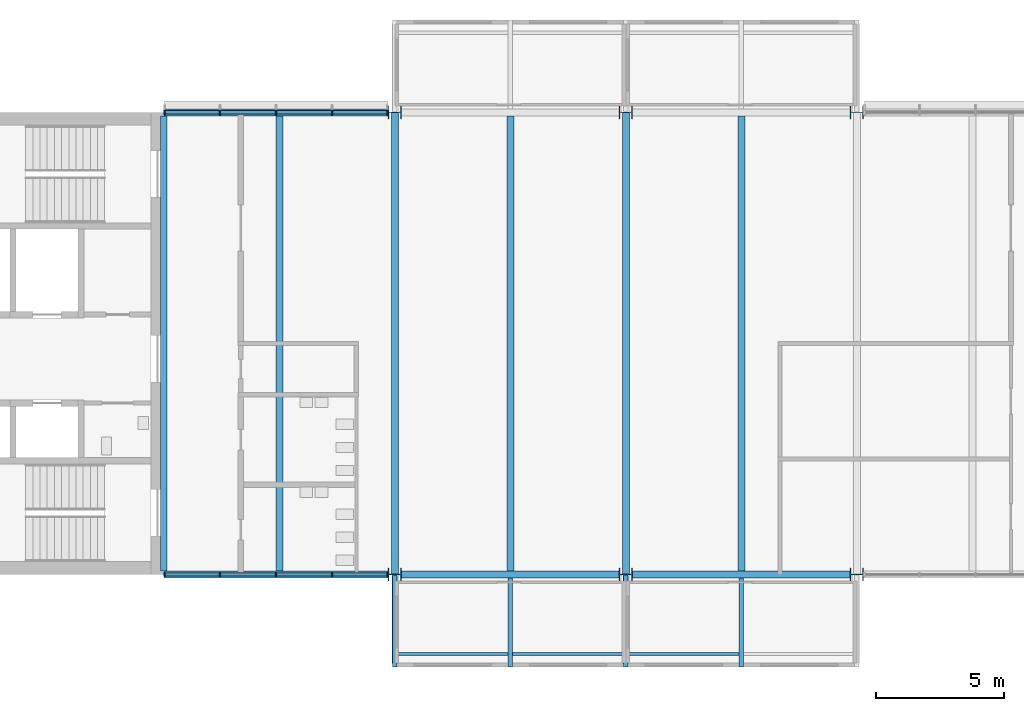
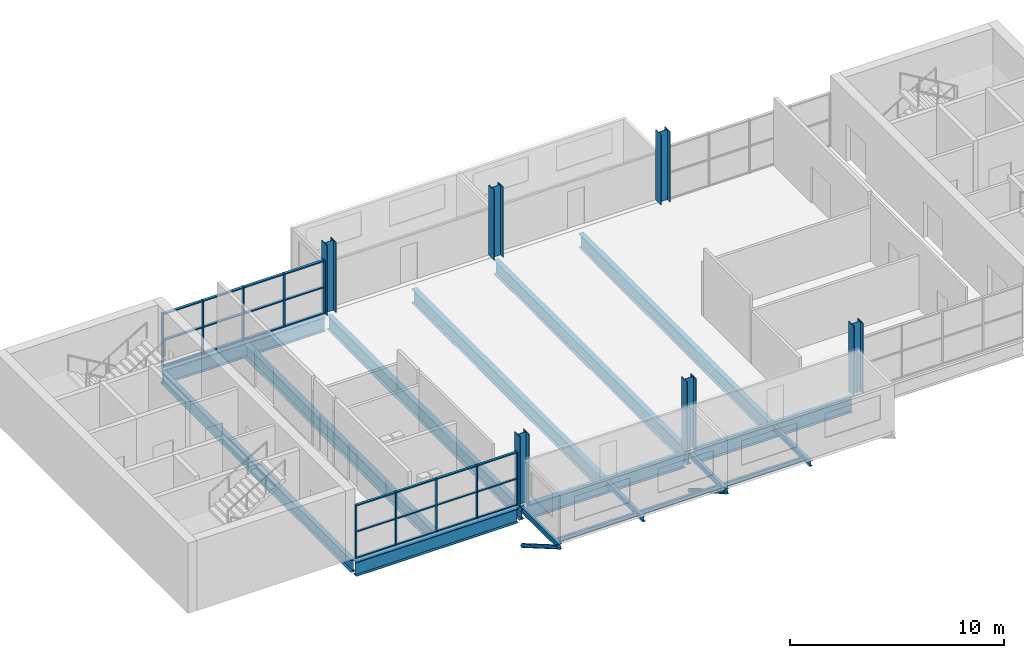
# One storey, part 1 of 10: 36 members, 17 beams, 6 columns, 2 elements without a shape of their own.
"""IFC4 building model written with IfcOpenShell, lengths in metres."""

from ifc_helpers import new_model, si_unit, direction, frame, origin, origin_2d, place, context, subcontext, project, spatial, rectangle, hollow_circle, i_section, extrude, material, layer, layer_set, material_profile, profile_set, type_object, element, aggregate, save


model = new_model("IFC4")

# Units and contexts
model_context = context("Model", 3, precision=1e-05, world=origin(), true_north=direction((0.0, 1.0)))
body_context = subcontext(model_context, "Body", "Model", "MODEL_VIEW")
ifc_project = project(units=[si_unit("LENGTHUNIT", "METRE"), si_unit("AREAUNIT", "SQUARE_METRE"), si_unit("VOLUMEUNIT", "CUBIC_METRE"), si_unit("PLANEANGLEUNIT", "RADIAN"), si_unit("MASSUNIT", "GRAM", prefix="KILO")], contexts=[model_context])

# Site, building, storey
site_placement = place(None, origin())
site = spatial("IfcSite", under=ifc_project, at=site_placement, CompositionType="ELEMENT")
building_placement = place(site_placement, origin())
building = spatial("IfcBuilding", under=site, at=building_placement, Name="Corbel Yard City Hall", CompositionType="ELEMENT")
storey_placement = place(building_placement, frame((0.0, 0.0, 19.199951171875)))
storey = spatial("IfcBuildingStorey", under=building, at=storey_placement, Name="L04", CompositionType="ELEMENT", Elevation=19.199951171875)

# Columns
ifc_material_1 = material(Name="Steel Grade 350", Category="steel")
ifc_material_profile_1 = material_profile(ifc_material_1, i_section(OverallWidth=0.5, OverallDepth=0.513916015625, WebThickness=0.02490234375, FlangeThickness=0.031982421875, at=origin_2d()), Name="500WC340")
ifc_profile_set_1 = profile_set([ifc_material_profile_1], Name="Steel Grade 350")
column_type = type_object("IfcColumnType", Name="Column 500WC340", PredefinedType="COLUMN", material=ifc_profile_set_1)
for number, where, z_axis, x_axis, name in (
    (1, (18.0, 99.0, 0.0), (0.0, 0.0, 1.0), (0.0, 1.0, 0.0), "Column 500WC340 L/3 L04"),
    (2, (18.0, 117.0, 0.0), (0.0, 0.0, 1.0), (0.0, 1.0, 0.0), "Column 500WC340 N/3 L04"),
    (3, (27.0, 99.0, 0.0), (0.0, 0.0, 1.0), (0.0, 1.0, 0.0), "Column 500WC340 L/4 L04"),
    (4, (27.0, 117.0, 0.0), (0.0, 0.0, 1.0), (0.0, 1.0, 0.0), "Column 500WC340 N/4 L04"),
    (5, (36.0, 99.0, 0.0), (0.0, 0.0, 1.0), (0.0, 1.0, 0.0), "Column 500WC340 L/5 L04"),
    (6, (36.0, 117.0, 0.0), (0.0, 0.0, 1.0), (0.0, 1.0, 0.0), "Column 500WC340 N/5 L04"),
):
    element("IfcColumn", number, at=place(storey_placement, frame(where, z_axis=z_axis, x_axis=x_axis)), inside=storey, type_object=column_type, Name=name, PredefinedType="COLUMN", context=body_context, shape_type="SweptSolid", body=[
        extrude(i_section(OverallWidth=0.5, OverallDepth=0.513916015625, WebThickness=0.02490234375, FlangeThickness=0.031982421875, at=origin_2d()), origin(), (0.0, 0.0, 1.0), 4.0),
    ])

# Beams
ifc_material_profile_2 = material_profile(ifc_material_1, i_section(OverallWidth=0.27490234375, OverallDepth=0.81005859375, WebThickness=0.010009765625, FlangeThickness=0.02490234375, at=origin_2d()), Name="800WB168")
ifc_profile_set_2 = profile_set([ifc_material_profile_2], Name="Steel Grade 350")
beam_type_1 = type_object("IfcBeamType", Name="Edge beam 800WB168", PredefinedType="BEAM", material=ifc_profile_set_2)
beam_1_placement = place(storey_placement, frame((9.0, 99.0, -0.554931640625), z_axis=(1.0, 0.0, 0.0), x_axis=(0.0, 1.0, 0.0)))
element("IfcBeam", 7, at=beam_1_placement, inside=storey, type_object=beam_type_1, Name="Edge beam 800WB168 EB3 L04tower", PredefinedType="BEAM", context=body_context, shape_type="SweptSolid", body=[
    extrude(i_section(OverallWidth=0.27490234375, OverallDepth=0.81005859375, WebThickness=0.010009765625, FlangeThickness=0.02490234375, at=origin_2d()), origin(), (0.0, 0.0, 1.0), 8.742919921875),
])
for number, where, z_axis, x_axis, name in (
    (8, (18.257080078125, 99.0, -0.554931640625), (1.0, 0.0, 0.0), (0.0, 1.0, 0.0), "Edge beam 800WB168 EB3 L04tower"),
    (9, (27.257080078125, 99.0, -0.554931640625), (1.0, 0.0, 0.0), (0.0, 1.0, 0.0), "Edge beam 800WB168 EB3 L04tower"),
):
    element("IfcBeam", number, at=place(storey_placement, frame(where, z_axis=z_axis, x_axis=x_axis)), inside=storey, type_object=beam_type_1, Name=name, PredefinedType="BEAM", context=body_context, shape_type="SweptSolid", body=[
        extrude(i_section(OverallWidth=0.27490234375, OverallDepth=0.81005859375, WebThickness=0.010009765625, FlangeThickness=0.02490234375, at=origin_2d()), origin(), (0.0, 0.0, 1.0), 8.48583984375),
    ])
beam_2_placement = place(storey_placement, frame((9.0, 117.0, -0.554931640625), z_axis=(1.0, 0.0, 0.0), x_axis=(0.0, 1.0, 0.0)))
element("IfcBeam", 10, at=beam_2_placement, inside=storey, type_object=beam_type_1, Name="Edge beam 800WB168 EB3 L04tower", PredefinedType="BEAM", context=body_context, shape_type="SweptSolid", body=[
    extrude(i_section(OverallWidth=0.27490234375, OverallDepth=0.81005859375, WebThickness=0.010009765625, FlangeThickness=0.02490234375, at=origin_2d()), origin(), (0.0, 0.0, 1.0), 8.742919921875),
])
ifc_material_profile_3 = material_profile(ifc_material_1, i_section(OverallWidth=0.27490234375, OverallDepth=0.800048828125, WebThickness=0.010009765625, FlangeThickness=0.02001953125, at=origin_2d()), Name="800WB146")
ifc_profile_set_3 = profile_set([ifc_material_profile_3], Name="Steel Grade 350")
beam_type_2 = type_object("IfcBeamType", Name="Long-span beam 800WB146", PredefinedType="BEAM", material=ifc_profile_set_3)
for number, where, z_axis, x_axis, name in (
    (11, (18.0, 99.012451171875, -0.550048828125), (0.0, 1.0, 0.0), (-1.0, 0.0, 0.0), "Long-span beam 800WB146 SB8 L04tower"),
    (12, (27.0, 99.012451171875, -0.550048828125), (0.0, 1.0, 0.0), (-1.0, 0.0, 0.0), "Long-span beam 800WB146 SB8 L04tower"),
):
    element("IfcBeam", number, at=place(storey_placement, frame(where, z_axis=z_axis, x_axis=x_axis)), inside=storey, type_object=beam_type_2, Name=name, PredefinedType="BEAM", context=body_context, shape_type="SweptSolid", body=[
        extrude(i_section(OverallWidth=0.27490234375, OverallDepth=0.800048828125, WebThickness=0.010009765625, FlangeThickness=0.02001953125, at=origin_2d()), origin(), (0.0, 0.0, 1.0), 17.97509765625),
    ])
ifc_material_profile_4 = material_profile(ifc_material_1, i_section(OverallWidth=0.25, OverallDepth=0.7099609375, WebThickness=0.010009765625, FlangeThickness=0.02490234375, at=origin_2d()), Name="700WB150")
ifc_profile_set_4 = profile_set([ifc_material_profile_4], Name="Steel Grade 350")
beam_type_3 = type_object("IfcBeamType", Name="Long-span edge beam 700WB150", PredefinedType="BEAM", material=ifc_profile_set_4)
beam_3_placement = place(storey_placement, frame((9.0, 99.137451171875, -0.5048828125), z_axis=(0.0, 1.0, 0.0), x_axis=(-1.0, 0.0, 0.0)))
element("IfcBeam", 13, at=beam_3_placement, inside=storey, type_object=beam_type_3, Name="Long-span edge beam 700WB150 EB8 L04tower", PredefinedType="BEAM", context=body_context, shape_type="SweptSolid", body=[
    extrude(i_section(OverallWidth=0.25, OverallDepth=0.7099609375, WebThickness=0.010009765625, FlangeThickness=0.02490234375, at=origin_2d()), origin(), (0.0, 0.0, 1.0), 17.72509765625),
])
ifc_material_profile_5 = material_profile(ifc_material_1, i_section(OverallWidth=0.27490234375, OverallDepth=0.800048828125, WebThickness=0.010009765625, FlangeThickness=0.02001953125, at=origin_2d()), Name="800WB146")
ifc_profile_set_5 = profile_set([ifc_material_profile_5], Name="Steel Grade 350")
beam_type_4 = type_object("IfcBeamType", Name="Long-span secondary beam 800WB146", PredefinedType="JOIST", material=ifc_profile_set_5)
for number, where, z_axis, x_axis, name in (
    (14, (13.5, 99.137451171875, -0.550048828125), (0.0, 1.0, 0.0), (-1.0, 0.0, 0.0), "Long-span secondary beam 800WB146 SB7 L04tower"),
    (15, (22.5, 99.137451171875, -0.550048828125), (0.0, 1.0, 0.0), (-1.0, 0.0, 0.0), "Long-span secondary beam 800WB146 SB7 L04tower"),
    (16, (31.5, 99.137451171875, -0.550048828125), (0.0, 1.0, 0.0), (-1.0, 0.0, 0.0), "Long-span secondary beam 800WB146 SB7 L04tower"),
):
    element("IfcBeam", number, at=place(storey_placement, frame(where, z_axis=z_axis, x_axis=x_axis)), inside=storey, type_object=beam_type_4, Name=name, PredefinedType="JOIST", context=body_context, shape_type="SweptSolid", body=[
        extrude(i_section(OverallWidth=0.27490234375, OverallDepth=0.800048828125, WebThickness=0.010009765625, FlangeThickness=0.02001953125, at=origin_2d()), origin(), (0.0, 0.0, 1.0), 17.72509765625),
    ])

# Curtain wall, members
ifc_material_2 = material(Name="Aluminium extrusion", Category="aluminium")
ifc_layer_1 = layer(ifc_material_2, 0.14990234375)
ifc_layer_set_1 = layer_set([ifc_layer_1], Name="Aluminium extrusion")
curtain_wall_type_1 = type_object("IfcCurtainWallType", Name="CW2", PredefinedType="USERDEFINED", material=ifc_layer_set_1)
curtain_wall_1_placement = place(storey_placement, origin())
curtain_wall_1 = element("IfcCurtainWall", 17, at=curtain_wall_1_placement, inside=storey, type_object=curtain_wall_type_1, Name="Curtain wall CW2 L04", ObjectType="CURTAIN WALL", PredefinedType="USERDEFINED")
ifc_material_profile_6 = material_profile(ifc_material_2, rectangle(XDim=0.14990234375, YDim=0.06494140625, at=origin_2d()), Name="150x65")
ifc_profile_set_6 = profile_set([ifc_material_profile_6], Name="Aluminium extrusion")
member_type_1 = type_object("IfcMemberType", Name="ML2", PredefinedType="MULLION", material=ifc_profile_set_6)
member_1_placement = place(storey_placement, frame((9.032470703125, 99.0, 0.0), z_axis=(0.0, 0.0, 1.0), x_axis=(0.0, 1.0, 0.0)))
member_1 = element("IfcMember", 18, at=member_1_placement, type_object=member_type_1, Name="CW2 mullion 1", PredefinedType="MULLION", context=body_context, shape_type="SweptSolid", body=[
    extrude(rectangle(XDim=0.14990234375, YDim=0.06494140625, at=origin_2d()), origin(), (0.0, 0.0, 1.0), 3.0400390625),
])
member_2_placement = place(storey_placement, frame((11.185791015625, 99.0, 0.0), z_axis=(0.0, 0.0, 1.0), x_axis=(0.0, 1.0, 0.0)))
member_2 = element("IfcMember", 19, at=member_2_placement, type_object=member_type_1, Name="CW2 mullion 2", PredefinedType="MULLION", context=body_context, shape_type="SweptSolid", body=[
    extrude(rectangle(XDim=0.14990234375, YDim=0.06494140625, at=origin_2d()), origin(), (0.0, 0.0, 1.0), 3.0400390625),
])
member_3_placement = place(storey_placement, frame((13.37158203125, 99.0, 0.0), z_axis=(0.0, 0.0, 1.0), x_axis=(0.0, 1.0, 0.0)))
member_3 = element("IfcMember", 20, at=member_3_placement, type_object=member_type_1, Name="CW2 mullion 3", PredefinedType="MULLION", context=body_context, shape_type="SweptSolid", body=[
    extrude(rectangle(XDim=0.14990234375, YDim=0.06494140625, at=origin_2d()), origin(), (0.0, 0.0, 1.0), 3.0400390625),
])
member_4_placement = place(storey_placement, frame((15.55712890625, 99.0, 0.0), z_axis=(0.0, 0.0, 1.0), x_axis=(0.0, 1.0, 0.0)))
member_4 = element("IfcMember", 21, at=member_4_placement, type_object=member_type_1, Name="CW2 mullion 4", PredefinedType="MULLION", context=body_context, shape_type="SweptSolid", body=[
    extrude(rectangle(XDim=0.14990234375, YDim=0.06494140625, at=origin_2d()), origin(), (0.0, 0.0, 1.0), 3.0400390625),
])
member_5_placement = place(storey_placement, frame((17.71044921875, 99.0, 0.0), z_axis=(0.0, 0.0, 1.0), x_axis=(0.0, 1.0, 0.0)))
member_5 = element("IfcMember", 22, at=member_5_placement, type_object=member_type_1, Name="CW2 mullion 5", PredefinedType="MULLION", context=body_context, shape_type="SweptSolid", body=[
    extrude(rectangle(XDim=0.14990234375, YDim=0.06494140625, at=origin_2d()), origin(), (0.0, 0.0, 1.0), 3.0400390625),
])

ifc_layer_2 = layer(ifc_material_2, 0.179931640625)
ifc_layer_set_2 = layer_set([ifc_layer_2], Name="Aluminium extrusion")
curtain_wall_type_2 = type_object("IfcCurtainWallType", Name="CW6", PredefinedType="USERDEFINED", material=ifc_layer_set_2)
curtain_wall_2_placement = place(storey_placement, origin())
curtain_wall_2 = element("IfcCurtainWall", 23, at=curtain_wall_2_placement, inside=storey, type_object=curtain_wall_type_2, Name="Curtain wall CW6 L04", ObjectType="CURTAIN WALL", PredefinedType="USERDEFINED")
ifc_material_profile_7 = material_profile(ifc_material_2, rectangle(XDim=0.179931640625, YDim=0.06494140625, at=origin_2d()), Name="180x65")
ifc_profile_set_7 = profile_set([ifc_material_profile_7], Name="Aluminium extrusion")
member_type_2 = type_object("IfcMemberType", Name="ML6", PredefinedType="MULLION", material=ifc_profile_set_7)
member_6_placement = place(storey_placement, frame((9.032470703125, 117.0, 0.0), z_axis=(0.0, 0.0, 1.0), x_axis=(0.0, 1.0, 0.0)))
member_6 = element("IfcMember", 24, at=member_6_placement, type_object=member_type_2, Name="CW6 mullion 1", PredefinedType="MULLION", context=body_context, shape_type="SweptSolid", body=[
    extrude(rectangle(XDim=0.179931640625, YDim=0.06494140625, at=origin_2d()), origin(), (0.0, 0.0, 1.0), 3.0400390625),
])
member_7_placement = place(storey_placement, frame((11.185791015625, 117.0, 0.0), z_axis=(0.0, 0.0, 1.0), x_axis=(0.0, 1.0, 0.0)))
member_7 = element("IfcMember", 25, at=member_7_placement, type_object=member_type_2, Name="CW6 mullion 2", PredefinedType="MULLION", context=body_context, shape_type="SweptSolid", body=[
    extrude(rectangle(XDim=0.179931640625, YDim=0.06494140625, at=origin_2d()), origin(), (0.0, 0.0, 1.0), 3.0400390625),
])
member_8_placement = place(storey_placement, frame((13.37158203125, 117.0, 0.0), z_axis=(0.0, 0.0, 1.0), x_axis=(0.0, 1.0, 0.0)))
member_8 = element("IfcMember", 26, at=member_8_placement, type_object=member_type_2, Name="CW6 mullion 3", PredefinedType="MULLION", context=body_context, shape_type="SweptSolid", body=[
    extrude(rectangle(XDim=0.179931640625, YDim=0.06494140625, at=origin_2d()), origin(), (0.0, 0.0, 1.0), 3.0400390625),
])
member_9_placement = place(storey_placement, frame((15.55712890625, 117.0, 0.0), z_axis=(0.0, 0.0, 1.0), x_axis=(0.0, 1.0, 0.0)))
member_9 = element("IfcMember", 27, at=member_9_placement, type_object=member_type_2, Name="CW6 mullion 4", PredefinedType="MULLION", context=body_context, shape_type="SweptSolid", body=[
    extrude(rectangle(XDim=0.179931640625, YDim=0.06494140625, at=origin_2d()), origin(), (0.0, 0.0, 1.0), 3.0400390625),
])
member_10_placement = place(storey_placement, frame((17.71044921875, 117.0, 0.0), z_axis=(0.0, 0.0, 1.0), x_axis=(0.0, 1.0, 0.0)))
member_10 = element("IfcMember", 28, at=member_10_placement, type_object=member_type_2, Name="CW6 mullion 5", PredefinedType="MULLION", context=body_context, shape_type="SweptSolid", body=[
    extrude(rectangle(XDim=0.179931640625, YDim=0.06494140625, at=origin_2d()), origin(), (0.0, 0.0, 1.0), 3.0400390625),
])

# Members
ifc_material_3 = material(Name="Steel Grade C350L0", Category="steel")
ifc_material_profile_8 = material_profile(ifc_material_3, hollow_circle(Radius=0.109619140625, WallThickness=0.00830078125, at=origin_2d()), Name="219.1x8.2CHS")
ifc_profile_set_8 = profile_set([ifc_material_profile_8], Name="Steel Grade C350L0")
member_type_3 = type_object("IfcMemberType", Name="Pod knee brace", PredefinedType="BRACE", material=ifc_profile_set_8)
for number, where, z_axis, x_axis, name in (
    (29, (18.0, 95.56005859375, -0.4169921875), (0.0, 0.864719662222, -0.502254821546), (-1.0, 0.0, 0.0), "Pod knee brace"),
    (30, (27.0, 95.56005859375, -0.4169921875), (0.0, 0.864719662222, -0.502254821546), (-1.0, 0.0, 0.0), "Pod knee brace"),
):
    element("IfcMember", number, at=place(storey_placement, frame(where, z_axis=z_axis, x_axis=x_axis)), inside=storey, type_object=member_type_3, Name=name, PredefinedType="BRACE", context=body_context, shape_type="SweptSolid", body=[
        extrude(hollow_circle(Radius=0.109619140625, WallThickness=0.00830078125, at=origin_2d()), origin(), (0.0, 0.0, 1.0), 3.89990234375),
    ])

# Beams
ifc_material_4 = material(Name="Steel Grade 300 (300 MPa yield)", Category="steel")
ifc_material_profile_9 = material_profile(ifc_material_4, i_section(OverallWidth=0.166015625, OverallDepth=0.306884765625, WebThickness=0.006591796875, FlangeThickness=0.01171875, at=origin_2d()), Name="310UB46.2")
ifc_profile_set_9 = profile_set([ifc_material_profile_9], Name="Steel Grade 300 (300 MPa yield)")
beam_type_5 = type_object("IfcBeamType", Name="Pod stub beam 310UB46.2", PredefinedType="BEAM", material=ifc_profile_set_9)
beam_4_placement = place(storey_placement, frame((18.0, 95.39990234375, -0.303466796875), z_axis=(0.0, 1.0, 0.0), x_axis=(-1.0, 0.0, 0.0)))
element("IfcBeam", 31, at=beam_4_placement, inside=storey, type_object=beam_type_5, Name="Pod stub 310UB46.2 CB1 L04", PredefinedType="BEAM", context=body_context, shape_type="SweptSolid", body=[
    extrude(i_section(OverallWidth=0.166015625, OverallDepth=0.306884765625, WebThickness=0.006591796875, FlangeThickness=0.01171875, at=origin_2d()), origin(), (0.0, 0.0, 1.0), 3.587646484375),
])
beam_5_placement = place(storey_placement, frame((22.5, 95.39990234375, -0.303466796875), z_axis=(0.0, 1.0, 0.0), x_axis=(-1.0, 0.0, 0.0)))
element("IfcBeam", 32, at=beam_5_placement, inside=storey, type_object=beam_type_5, Name="Pod stub 310UB46.2 CB1 L04", PredefinedType="BEAM", context=body_context, shape_type="SweptSolid", body=[
    extrude(i_section(OverallWidth=0.166015625, OverallDepth=0.306884765625, WebThickness=0.006591796875, FlangeThickness=0.01171875, at=origin_2d()), origin(), (0.0, 0.0, 1.0), 3.462646484375),
])
beam_6_placement = place(storey_placement, frame((27.0, 95.39990234375, -0.303466796875), z_axis=(0.0, 1.0, 0.0), x_axis=(-1.0, 0.0, 0.0)))
element("IfcBeam", 33, at=beam_6_placement, inside=storey, type_object=beam_type_5, Name="Pod stub 310UB46.2 CB1 L04", PredefinedType="BEAM", context=body_context, shape_type="SweptSolid", body=[
    extrude(i_section(OverallWidth=0.166015625, OverallDepth=0.306884765625, WebThickness=0.006591796875, FlangeThickness=0.01171875, at=origin_2d()), origin(), (0.0, 0.0, 1.0), 3.587646484375),
])
beam_7_placement = place(storey_placement, frame((31.5, 95.39990234375, -0.303466796875), z_axis=(0.0, 1.0, 0.0), x_axis=(-1.0, 0.0, 0.0)))
element("IfcBeam", 34, at=beam_7_placement, inside=storey, type_object=beam_type_5, Name="Pod stub 310UB46.2 CB1 L04", PredefinedType="BEAM", context=body_context, shape_type="SweptSolid", body=[
    extrude(i_section(OverallWidth=0.166015625, OverallDepth=0.306884765625, WebThickness=0.006591796875, FlangeThickness=0.01171875, at=origin_2d()), origin(), (0.0, 0.0, 1.0), 3.462646484375),
])
ifc_material_profile_10 = material_profile(ifc_material_4, i_section(OverallWidth=0.1240234375, OverallDepth=0.248046875, WebThickness=0.0048828125, FlangeThickness=0.008056640625, at=origin_2d()), Name="250UB25.7")
ifc_profile_set_10 = profile_set([ifc_material_profile_10], Name="Steel Grade 300 (300 MPa yield)")
beam_type_6 = type_object("IfcBeamType", Name="Pod tip beam", PredefinedType="BEAM", material=ifc_profile_set_10)
for number, where, z_axis, x_axis, name in (
    (35, (18.0830078125, 95.89990234375, -0.27392578125), (1.0, 0.0, 0.0), (0.0, 1.0, 0.0), "Pod tip beam"),
    (36, (22.5830078125, 95.89990234375, -0.27392578125), (1.0, 0.0, 0.0), (0.0, 1.0, 0.0), "Pod tip beam"),
    (37, (27.0830078125, 95.89990234375, -0.27392578125), (1.0, 0.0, 0.0), (0.0, 1.0, 0.0), "Pod tip beam"),
):
    element("IfcBeam", number, at=place(storey_placement, frame(where, z_axis=z_axis, x_axis=x_axis)), inside=storey, type_object=beam_type_6, Name=name, PredefinedType="BEAM", context=body_context, shape_type="SweptSolid", body=[
        extrude(i_section(OverallWidth=0.1240234375, OverallDepth=0.248046875, WebThickness=0.0048828125, FlangeThickness=0.008056640625, at=origin_2d()), origin(), (0.0, 0.0, 1.0), 4.333984375),
    ])

# Member
ifc_material_profile_11 = material_profile(ifc_material_2, rectangle(XDim=0.1201171875, YDim=0.06494140625, at=origin_2d()), Name="120x65")
ifc_profile_set_11 = profile_set([ifc_material_profile_11], Name="Aluminium extrusion")
member_type_4 = type_object("IfcMemberType", Name="TR2", PredefinedType="USERDEFINED", material=ifc_profile_set_11)
member_11_placement = place(storey_placement, frame((9.06494140625, 99.0, 0.032470703125), z_axis=(1.0, 0.0, 0.0), x_axis=(0.0, 1.0, 0.0)))
member_11 = element("IfcMember", 38, at=member_11_placement, type_object=member_type_4, Name="CW2 transom 1.1", ObjectType="TRANSOM", PredefinedType="USERDEFINED", context=body_context, shape_type="SweptSolid", body=[
    extrude(rectangle(XDim=0.1201171875, YDim=0.06494140625, at=origin_2d()), origin(), (0.0, 0.0, 1.0), 2.08837890625),
])

member_12_placement = place(storey_placement, frame((9.06494140625, 99.0, 1.52001953125), z_axis=(1.0, 0.0, 0.0), x_axis=(0.0, 1.0, 0.0)))
member_12 = element("IfcMember", 39, at=member_12_placement, type_object=member_type_4, Name="CW2 transom 1.2", ObjectType="TRANSOM", PredefinedType="USERDEFINED", context=body_context, shape_type="SweptSolid", body=[
    extrude(rectangle(XDim=0.1201171875, YDim=0.06494140625, at=origin_2d()), origin(), (0.0, 0.0, 1.0), 2.08837890625),
])

member_13_placement = place(storey_placement, frame((9.06494140625, 99.0, 3.007568359375), z_axis=(1.0, 0.0, 0.0), x_axis=(0.0, 1.0, 0.0)))
member_13 = element("IfcMember", 40, at=member_13_placement, type_object=member_type_4, Name="CW2 transom 1.3", ObjectType="TRANSOM", PredefinedType="USERDEFINED", context=body_context, shape_type="SweptSolid", body=[
    extrude(rectangle(XDim=0.1201171875, YDim=0.06494140625, at=origin_2d()), origin(), (0.0, 0.0, 1.0), 2.08837890625),
])

member_14_placement = place(storey_placement, frame((11.21826171875, 99.0, 0.032470703125), z_axis=(1.0, 0.0, 0.0), x_axis=(0.0, 1.0, 0.0)))
member_14 = element("IfcMember", 41, at=member_14_placement, type_object=member_type_4, Name="CW2 transom 2.1", ObjectType="TRANSOM", PredefinedType="USERDEFINED", context=body_context, shape_type="SweptSolid", body=[
    extrude(rectangle(XDim=0.1201171875, YDim=0.06494140625, at=origin_2d()), origin(), (0.0, 0.0, 1.0), 2.120849609375),
])

member_15_placement = place(storey_placement, frame((11.21826171875, 99.0, 1.52001953125), z_axis=(1.0, 0.0, 0.0), x_axis=(0.0, 1.0, 0.0)))
member_15 = element("IfcMember", 42, at=member_15_placement, type_object=member_type_4, Name="CW2 transom 2.2", ObjectType="TRANSOM", PredefinedType="USERDEFINED", context=body_context, shape_type="SweptSolid", body=[
    extrude(rectangle(XDim=0.1201171875, YDim=0.06494140625, at=origin_2d()), origin(), (0.0, 0.0, 1.0), 2.120849609375),
])

member_16_placement = place(storey_placement, frame((11.21826171875, 99.0, 3.007568359375), z_axis=(1.0, 0.0, 0.0), x_axis=(0.0, 1.0, 0.0)))
member_16 = element("IfcMember", 43, at=member_16_placement, type_object=member_type_4, Name="CW2 transom 2.3", ObjectType="TRANSOM", PredefinedType="USERDEFINED", context=body_context, shape_type="SweptSolid", body=[
    extrude(rectangle(XDim=0.1201171875, YDim=0.06494140625, at=origin_2d()), origin(), (0.0, 0.0, 1.0), 2.120849609375),
])

member_17_placement = place(storey_placement, frame((13.404052734375, 99.0, 0.032470703125), z_axis=(1.0, 0.0, 0.0), x_axis=(0.0, 1.0, 0.0)))
member_17 = element("IfcMember", 44, at=member_17_placement, type_object=member_type_4, Name="CW2 transom 3.1", ObjectType="TRANSOM", PredefinedType="USERDEFINED", context=body_context, shape_type="SweptSolid", body=[
    extrude(rectangle(XDim=0.1201171875, YDim=0.06494140625, at=origin_2d()), origin(), (0.0, 0.0, 1.0), 2.12060546875),
])

member_18_placement = place(storey_placement, frame((13.404052734375, 99.0, 1.52001953125), z_axis=(1.0, 0.0, 0.0), x_axis=(0.0, 1.0, 0.0)))
member_18 = element("IfcMember", 45, at=member_18_placement, type_object=member_type_4, Name="CW2 transom 3.2", ObjectType="TRANSOM", PredefinedType="USERDEFINED", context=body_context, shape_type="SweptSolid", body=[
    extrude(rectangle(XDim=0.1201171875, YDim=0.06494140625, at=origin_2d()), origin(), (0.0, 0.0, 1.0), 2.12060546875),
])

member_19_placement = place(storey_placement, frame((13.404052734375, 99.0, 3.007568359375), z_axis=(1.0, 0.0, 0.0), x_axis=(0.0, 1.0, 0.0)))
member_19 = element("IfcMember", 46, at=member_19_placement, type_object=member_type_4, Name="CW2 transom 3.3", ObjectType="TRANSOM", PredefinedType="USERDEFINED", context=body_context, shape_type="SweptSolid", body=[
    extrude(rectangle(XDim=0.1201171875, YDim=0.06494140625, at=origin_2d()), origin(), (0.0, 0.0, 1.0), 2.12060546875),
])

member_20_placement = place(storey_placement, frame((15.58984375, 99.0, 0.032470703125), z_axis=(1.0, 0.0, 0.0), x_axis=(0.0, 1.0, 0.0)))
member_20 = element("IfcMember", 47, at=member_20_placement, type_object=member_type_4, Name="CW2 transom 4.1", ObjectType="TRANSOM", PredefinedType="USERDEFINED", context=body_context, shape_type="SweptSolid", body=[
    extrude(rectangle(XDim=0.1201171875, YDim=0.06494140625, at=origin_2d()), origin(), (0.0, 0.0, 1.0), 2.088134765625),
])

member_21_placement = place(storey_placement, frame((15.58984375, 99.0, 1.52001953125), z_axis=(1.0, 0.0, 0.0), x_axis=(0.0, 1.0, 0.0)))
member_21 = element("IfcMember", 48, at=member_21_placement, type_object=member_type_4, Name="CW2 transom 4.2", ObjectType="TRANSOM", PredefinedType="USERDEFINED", context=body_context, shape_type="SweptSolid", body=[
    extrude(rectangle(XDim=0.1201171875, YDim=0.06494140625, at=origin_2d()), origin(), (0.0, 0.0, 1.0), 2.088134765625),
])

member_22_placement = place(storey_placement, frame((15.58984375, 99.0, 3.007568359375), z_axis=(1.0, 0.0, 0.0), x_axis=(0.0, 1.0, 0.0)))
member_22 = element("IfcMember", 49, at=member_22_placement, type_object=member_type_4, Name="CW2 transom 4.3", ObjectType="TRANSOM", PredefinedType="USERDEFINED", context=body_context, shape_type="SweptSolid", body=[
    extrude(rectangle(XDim=0.1201171875, YDim=0.06494140625, at=origin_2d()), origin(), (0.0, 0.0, 1.0), 2.088134765625),
])

aggregate(curtain_wall_1, [member_1, member_2, member_3, member_4, member_5, member_11, member_12, member_13, member_14, member_15, member_16, member_17, member_18, member_19, member_20, member_21, member_22])

ifc_material_profile_12 = material_profile(ifc_material_2, rectangle(XDim=0.139892578125, YDim=0.06494140625, at=origin_2d()), Name="140x65")
ifc_profile_set_12 = profile_set([ifc_material_profile_12], Name="Aluminium extrusion")
member_type_5 = type_object("IfcMemberType", Name="TR6", PredefinedType="USERDEFINED", material=ifc_profile_set_12)
member_23_placement = place(storey_placement, frame((9.06494140625, 117.0, 0.032470703125), z_axis=(1.0, 0.0, 0.0), x_axis=(0.0, 1.0, 0.0)))
member_23 = element("IfcMember", 50, at=member_23_placement, type_object=member_type_5, Name="CW6 transom 1.1", ObjectType="TRANSOM", PredefinedType="USERDEFINED", context=body_context, shape_type="SweptSolid", body=[
    extrude(rectangle(XDim=0.139892578125, YDim=0.06494140625, at=origin_2d()), origin(), (0.0, 0.0, 1.0), 2.08837890625),
])

member_24_placement = place(storey_placement, frame((9.06494140625, 117.0, 1.52001953125), z_axis=(1.0, 0.0, 0.0), x_axis=(0.0, 1.0, 0.0)))
member_24 = element("IfcMember", 51, at=member_24_placement, type_object=member_type_5, Name="CW6 transom 1.2", ObjectType="TRANSOM", PredefinedType="USERDEFINED", context=body_context, shape_type="SweptSolid", body=[
    extrude(rectangle(XDim=0.139892578125, YDim=0.06494140625, at=origin_2d()), origin(), (0.0, 0.0, 1.0), 2.08837890625),
])

member_25_placement = place(storey_placement, frame((9.06494140625, 117.0, 3.007568359375), z_axis=(1.0, 0.0, 0.0), x_axis=(0.0, 1.0, 0.0)))
member_25 = element("IfcMember", 52, at=member_25_placement, type_object=member_type_5, Name="CW6 transom 1.3", ObjectType="TRANSOM", PredefinedType="USERDEFINED", context=body_context, shape_type="SweptSolid", body=[
    extrude(rectangle(XDim=0.139892578125, YDim=0.06494140625, at=origin_2d()), origin(), (0.0, 0.0, 1.0), 2.08837890625),
])

member_26_placement = place(storey_placement, frame((11.21826171875, 117.0, 0.032470703125), z_axis=(1.0, 0.0, 0.0), x_axis=(0.0, 1.0, 0.0)))
member_26 = element("IfcMember", 53, at=member_26_placement, type_object=member_type_5, Name="CW6 transom 2.1", ObjectType="TRANSOM", PredefinedType="USERDEFINED", context=body_context, shape_type="SweptSolid", body=[
    extrude(rectangle(XDim=0.139892578125, YDim=0.06494140625, at=origin_2d()), origin(), (0.0, 0.0, 1.0), 2.120849609375),
])

member_27_placement = place(storey_placement, frame((11.21826171875, 117.0, 1.52001953125), z_axis=(1.0, 0.0, 0.0), x_axis=(0.0, 1.0, 0.0)))
member_27 = element("IfcMember", 54, at=member_27_placement, type_object=member_type_5, Name="CW6 transom 2.2", ObjectType="TRANSOM", PredefinedType="USERDEFINED", context=body_context, shape_type="SweptSolid", body=[
    extrude(rectangle(XDim=0.139892578125, YDim=0.06494140625, at=origin_2d()), origin(), (0.0, 0.0, 1.0), 2.120849609375),
])

member_28_placement = place(storey_placement, frame((11.21826171875, 117.0, 3.007568359375), z_axis=(1.0, 0.0, 0.0), x_axis=(0.0, 1.0, 0.0)))
member_28 = element("IfcMember", 55, at=member_28_placement, type_object=member_type_5, Name="CW6 transom 2.3", ObjectType="TRANSOM", PredefinedType="USERDEFINED", context=body_context, shape_type="SweptSolid", body=[
    extrude(rectangle(XDim=0.139892578125, YDim=0.06494140625, at=origin_2d()), origin(), (0.0, 0.0, 1.0), 2.120849609375),
])

member_29_placement = place(storey_placement, frame((13.404052734375, 117.0, 0.032470703125), z_axis=(1.0, 0.0, 0.0), x_axis=(0.0, 1.0, 0.0)))
member_29 = element("IfcMember", 56, at=member_29_placement, type_object=member_type_5, Name="CW6 transom 3.1", ObjectType="TRANSOM", PredefinedType="USERDEFINED", context=body_context, shape_type="SweptSolid", body=[
    extrude(rectangle(XDim=0.139892578125, YDim=0.06494140625, at=origin_2d()), origin(), (0.0, 0.0, 1.0), 2.12060546875),
])

member_30_placement = place(storey_placement, frame((13.404052734375, 117.0, 1.52001953125), z_axis=(1.0, 0.0, 0.0), x_axis=(0.0, 1.0, 0.0)))
member_30 = element("IfcMember", 57, at=member_30_placement, type_object=member_type_5, Name="CW6 transom 3.2", ObjectType="TRANSOM", PredefinedType="USERDEFINED", context=body_context, shape_type="SweptSolid", body=[
    extrude(rectangle(XDim=0.139892578125, YDim=0.06494140625, at=origin_2d()), origin(), (0.0, 0.0, 1.0), 2.12060546875),
])

member_31_placement = place(storey_placement, frame((13.404052734375, 117.0, 3.007568359375), z_axis=(1.0, 0.0, 0.0), x_axis=(0.0, 1.0, 0.0)))
member_31 = element("IfcMember", 58, at=member_31_placement, type_object=member_type_5, Name="CW6 transom 3.3", ObjectType="TRANSOM", PredefinedType="USERDEFINED", context=body_context, shape_type="SweptSolid", body=[
    extrude(rectangle(XDim=0.139892578125, YDim=0.06494140625, at=origin_2d()), origin(), (0.0, 0.0, 1.0), 2.12060546875),
])

member_32_placement = place(storey_placement, frame((15.58984375, 117.0, 0.032470703125), z_axis=(1.0, 0.0, 0.0), x_axis=(0.0, 1.0, 0.0)))
member_32 = element("IfcMember", 59, at=member_32_placement, type_object=member_type_5, Name="CW6 transom 4.1", ObjectType="TRANSOM", PredefinedType="USERDEFINED", context=body_context, shape_type="SweptSolid", body=[
    extrude(rectangle(XDim=0.139892578125, YDim=0.06494140625, at=origin_2d()), origin(), (0.0, 0.0, 1.0), 2.088134765625),
])

member_33_placement = place(storey_placement, frame((15.58984375, 117.0, 1.52001953125), z_axis=(1.0, 0.0, 0.0), x_axis=(0.0, 1.0, 0.0)))
member_33 = element("IfcMember", 60, at=member_33_placement, type_object=member_type_5, Name="CW6 transom 4.2", ObjectType="TRANSOM", PredefinedType="USERDEFINED", context=body_context, shape_type="SweptSolid", body=[
    extrude(rectangle(XDim=0.139892578125, YDim=0.06494140625, at=origin_2d()), origin(), (0.0, 0.0, 1.0), 2.088134765625),
])

member_34_placement = place(storey_placement, frame((15.58984375, 117.0, 3.007568359375), z_axis=(1.0, 0.0, 0.0), x_axis=(0.0, 1.0, 0.0)))
member_34 = element("IfcMember", 61, at=member_34_placement, type_object=member_type_5, Name="CW6 transom 4.3", ObjectType="TRANSOM", PredefinedType="USERDEFINED", context=body_context, shape_type="SweptSolid", body=[
    extrude(rectangle(XDim=0.139892578125, YDim=0.06494140625, at=origin_2d()), origin(), (0.0, 0.0, 1.0), 2.088134765625),
])

aggregate(curtain_wall_2, [member_6, member_7, member_8, member_9, member_10, member_23, member_24, member_25, member_26, member_27, member_28, member_29, member_30, member_31, member_32, member_33, member_34])

save(model, "model.ifc")
